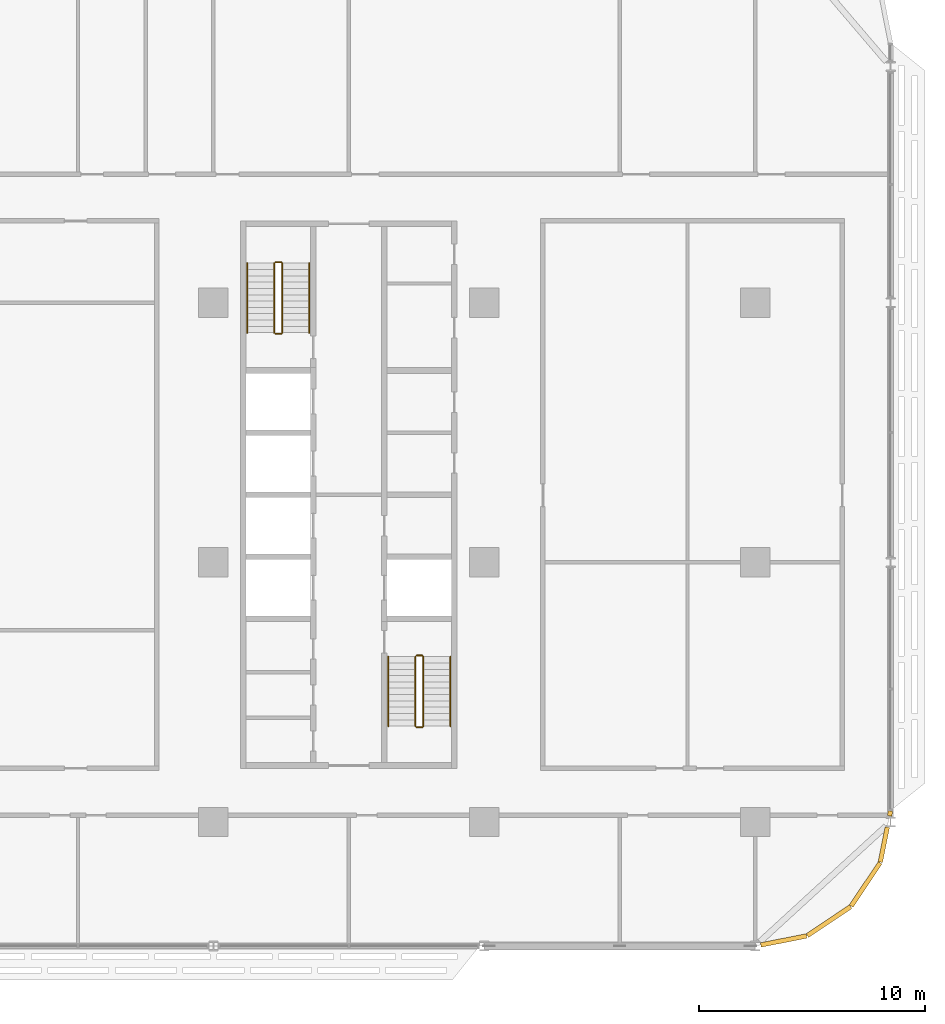
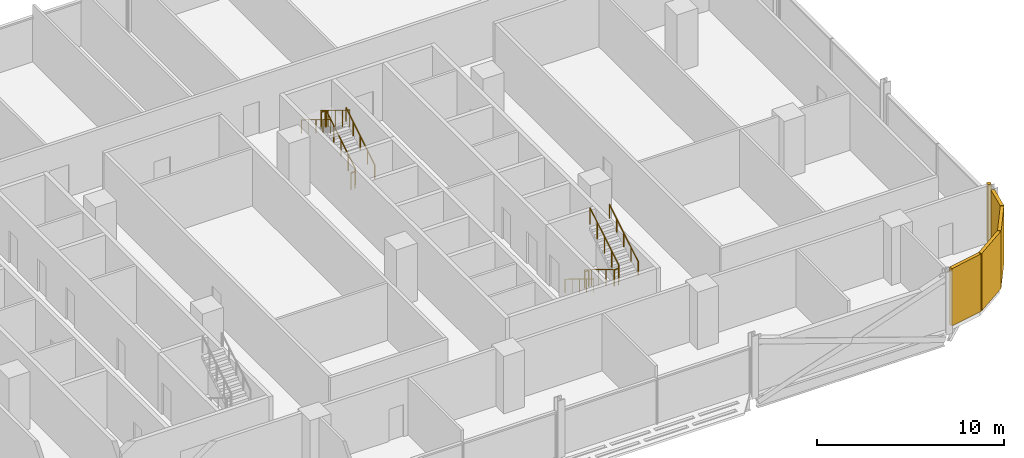
# One storey, part 28 of 29: 12 railings, 5 coverings.
"""IFC4 building model written with IfcOpenShell, lengths in metres."""

import ifcopenshell
import ifcopenshell.guid

model = None  # the IFC model being written
_history = None  # IfcOwnerHistory: only IFC2X3 demands one
_inside = {}  # id of a spatial element -> (the spatial element, [elements in it])
_under = {}  # id of a project, library or spatial element -> (it, [spatial elements below it])
_declared = {}  # id of a project -> (the project, [libraries it declares])
_typed = {}  # id of a type object -> (the type object, [elements of that type])
_made_of = {}  # id of a material, layer set ... -> (it, [elements and type objects made of it])


def new_model(schema):
    """Start an empty IFC model of exactly this schema.

    Asked for "IFC4X3", IfcOpenShell would pick the latest addendum, in which some entities
    have other attributes; the version numbers below select the first issue.
    IFC2X3 requires an IfcOwnerHistory on every rooted entity: one is made here for all.
    """
    global model, _history
    if schema == "IFC4X3":
        model = ifcopenshell.file(schema_version=(4, 3, 0, 0))
    else:
        model = ifcopenshell.file(schema=schema)
    _inside.clear()
    _under.clear()
    _declared.clear()
    _typed.clear()
    _made_of.clear()
    _history = None
    if model.schema == "IFC2X3":
        org = make("IfcOrganization", Name="unknown")
        user = make(
            "IfcPersonAndOrganization",
            ThePerson=make("IfcPerson", FamilyName="unknown"),
            TheOrganization=org,
        )
        app = make(
            "IfcApplication",
            ApplicationDeveloper=org,
            Version="unknown",
            ApplicationFullName="unknown",
            ApplicationIdentifier="unknown",
        )
        _history = make(
            "IfcOwnerHistory",
            OwningUser=user,
            OwningApplication=app,
            ChangeAction="ADDED",
            CreationDate=0,
        )
    return model


def make(cls, **values):
    """One entity of the class cls with the attributes given. An attribute that is None is left unset."""
    return model.create_entity(
        cls, **{name: value for name, value in values.items() if value is not None}
    )


def rooted(cls, **values):
    """An entity with a GlobalId (a new one), such as an element, a storey or a relation."""
    return make(cls, GlobalId=ifcopenshell.guid.new(), OwnerHistory=_history, **values)


def si_unit(unit_type, name, prefix=None):
    """IfcSIUnit, for example si_unit("LENGTHUNIT", "METRE", prefix="MILLI")."""
    return make("IfcSIUnit", UnitType=unit_type, Prefix=prefix, Name=name)


def assignment(units):
    """IfcUnitAssignment: the units of a project."""
    return None if units is None else make("IfcUnitAssignment", Units=units)


def point(xyz):
    """IfcCartesianPoint."""
    return None if xyz is None else make("IfcCartesianPoint", Coordinates=xyz)


def direction(xyz):
    """IfcDirection."""
    return None if xyz is None else make("IfcDirection", DirectionRatios=xyz)


def frame(location, z_axis=None, x_axis=None):
    """IfcAxis2Placement3D, a coordinate frame: its origin and axes. An axis left out is left unset."""
    return make(
        "IfcAxis2Placement3D",
        Location=point(location),
        Axis=direction(z_axis),
        RefDirection=direction(x_axis),
    )


def frame_2d(location, x_axis=None):
    """IfcAxis2Placement2D, a coordinate frame in the plane: its origin and x axis."""
    return make(
        "IfcAxis2Placement2D", Location=point(location), RefDirection=direction(x_axis)
    )


def origin():
    """The frame at (0, 0, 0) with its axes left unset."""
    return frame((0.0, 0.0, 0.0))


def origin_2d():
    """The frame at (0, 0) in the plane with its x axis left unset."""
    return frame_2d((0.0, 0.0))


def place(relative_to, where):
    """IfcLocalPlacement: puts the frame where relative to a parent placement (None: the world)."""
    return make(
        "IfcLocalPlacement", PlacementRelTo=relative_to, RelativePlacement=where
    )


def context(
    kind, dimensions, precision=None, world=None, true_north=None, identifier=None
):
    """IfcGeometricRepresentationContext, for example the 3D "Model" context."""
    return make(
        "IfcGeometricRepresentationContext",
        ContextIdentifier=identifier,
        ContextType=kind,
        CoordinateSpaceDimension=dimensions,
        Precision=precision,
        WorldCoordinateSystem=world,
        TrueNorth=true_north,
    )


def subcontext(parent, identifier, kind, view, scale=None):
    """IfcGeometricRepresentationSubContext, for example "Body" below "Model"."""
    return make(
        "IfcGeometricRepresentationSubContext",
        ContextIdentifier=identifier,
        ContextType=kind,
        ParentContext=parent,
        TargetScale=scale,
        TargetView=view,
    )


def project(units=None, contexts=None):
    """IfcProject with its units and contexts."""
    return rooted(
        "IfcProject",
        Name="project",
        RepresentationContexts=contexts,
        UnitsInContext=assignment(units),
    )


def spatial(cls, under=None, at=None, **own):
    """A site, building, storey or space (cls), placed at a placement, below another one or the project."""
    s = rooted(cls, ObjectPlacement=at, **own)
    if under is not None:
        _under.setdefault(under.id(), (under, []))[1].append(s)
    return s


def profile(cls, at=None, kind="AREA", **sizes):
    """A parametric profile (cls). Its sizes go by their IFC names, for example OverallWidth=200.0."""
    return make(cls, ProfileType=kind, Position=at, **sizes)


def rectangle(**sizes):
    """IfcRectangleProfileDef."""
    return profile("IfcRectangleProfileDef", **sizes)


def circle(**sizes):
    """IfcCircleProfileDef."""
    return profile("IfcCircleProfileDef", **sizes)


def extrude(swept, where, along, depth):
    """IfcExtrudedAreaSolid: the profile swept, set in the frame where, extruded along a direction by depth."""
    return make(
        "IfcExtrudedAreaSolid",
        SweptArea=swept,
        Position=where,
        ExtrudedDirection=direction(along),
        Depth=depth,
    )


def shape(context_of_items, identifier, shape_type, items):
    """IfcShapeRepresentation: the items that make up one representation, for example the "Body"."""
    return make(
        "IfcShapeRepresentation",
        ContextOfItems=context_of_items,
        RepresentationIdentifier=identifier,
        RepresentationType=shape_type,
        Items=items,
    )


def material(Name=None, Category=None):
    """IfcMaterial."""
    return make("IfcMaterial", Name=Name, Category=Category)


def layer(
    of_material, thickness, ventilated=None, Name=None, Category=None, Priority=None
):
    """IfcMaterialLayer: one layer of a wall or slab, of a material (None: an air gap)."""
    return make(
        "IfcMaterialLayer",
        Material=of_material,
        LayerThickness=thickness,
        IsVentilated=ventilated,
        Name=Name,
        Category=Category,
        Priority=Priority,
    )


def layer_set(layers, Name=None):
    """IfcMaterialLayerSet."""
    return make("IfcMaterialLayerSet", MaterialLayers=layers, LayerSetName=Name)


def made_of(thing, what):
    """Note that an element or type object is made of a material, layer set ...; save() writes the relation."""
    if what is not None:
        _made_of.setdefault(what.id(), (what, []))[1].append(thing)
    return thing


def type_object(cls, material=None, **own):
    """A type object (cls), such as IfcWallType, which elements share."""
    return made_of(rooted(cls, **own), material)


def element(
    cls,
    number,
    at=None,
    inside=None,
    cuts=None,
    type_object=None,
    material=None,
    context=None,
    identifier="Body",
    shape_type=None,
    held_by="IfcProductDefinitionShape",
    body=None,
    shapes=None,
    **own,
):
    """One element of the class cls, such as IfcWall. Its Tag is "e" and its number.

    at: its placement. inside: the storey or other place that contains it. cuts: it is an
    opening in that element (IfcRelVoidsElement). A single representation is given by context,
    identifier, shape_type and body (its items); several are given by shapes. held_by: the class
    of the entity that holds the representations. save() writes the other relations.
    """
    e = rooted(cls, Tag="e%d" % number, ObjectPlacement=at, **own)
    if body is not None:
        shapes = [shape(context, identifier, shape_type, body)]
    if shapes is not None:
        e.Representation = make(held_by, Representations=shapes)
    if inside is not None:
        _inside.setdefault(inside.id(), (inside, []))[1].append(e)
    if cuts is not None:
        rooted(
            "IfcRelVoidsElement", RelatingBuildingElement=cuts, RelatedOpeningElement=e
        )
    if type_object is not None:
        _typed.setdefault(type_object.id(), (type_object, []))[1].append(e)
    return made_of(e, material)


def aggregate(whole, parts):
    """IfcRelAggregates: a whole, such as a stair, and the parts it consists of."""
    return rooted("IfcRelAggregates", RelatingObject=whole, RelatedObjects=parts)


def save(model, path):
    """Write the relations noted so far, then the file.

    IfcRelAggregates (storeys below a building ...), IfcRelContainedInSpatialStructure (elements
    in a storey), IfcRelDefinesByType, IfcRelAssociatesMaterial and IfcRelDeclares: one each for
    every whole, place, type object, material and project.
    """
    for whole, parts in _under.values():
        aggregate(whole, parts)
    for where, things in _inside.values():
        rooted(
            "IfcRelContainedInSpatialStructure",
            RelatedElements=things,
            RelatingStructure=where,
        )
    for kind, things in _typed.values():
        rooted("IfcRelDefinesByType", RelatedObjects=things, RelatingType=kind)
    for what, things in _made_of.values():
        rooted("IfcRelAssociatesMaterial", RelatedObjects=things, RelatingMaterial=what)
    for by, libraries in _declared.values():
        rooted("IfcRelDeclares", RelatingContext=by, RelatedDefinitions=libraries)
    model.write(path)


model = new_model("IFC4")

# Units and contexts
model_context = context("Model", 3, precision=1e-05, world=origin(), true_north=direction((0.0, 1.0)))
body_context = subcontext(model_context, "Body", "Model", "MODEL_VIEW")
ifc_project = project(units=[si_unit("LENGTHUNIT", "METRE"), si_unit("AREAUNIT", "SQUARE_METRE"), si_unit("VOLUMEUNIT", "CUBIC_METRE"), si_unit("PLANEANGLEUNIT", "RADIAN"), si_unit("MASSUNIT", "GRAM", prefix="KILO")], contexts=[model_context])

# Site, building, storey
site_placement = place(None, origin())
site = spatial("IfcSite", under=ifc_project, at=site_placement, CompositionType="ELEMENT")
building_placement = place(site_placement, origin())
building = spatial("IfcBuilding", under=site, at=building_placement, Name="Mahtab Terrace Research Tower", CompositionType="ELEMENT")
storey_placement = place(building_placement, frame((0.0, 0.0, 126.10009765625)))
storey = spatial("IfcBuildingStorey", under=building, at=storey_placement, Name="L29", CompositionType="ELEMENT", Elevation=126.10009765625)

# Coverings
ifc_material_1 = material(Name="Black aluminium cladding panel", Category="aluminium")
ifc_layer = layer(ifc_material_1, 0.199951171875)
ifc_layer_set = layer_set([ifc_layer], Name="Black metal corner cladding 200")
covering_type = type_object("IfcCoveringType", Name="Black metal corner cladding 200", PredefinedType="CLADDING", material=ifc_layer_set)
covering_1_placement = place(storey_placement, frame((43.263916015625, -16.74853515625, 0.0), z_axis=(0.0, 0.0, 1.0), x_axis=(0.980760981187, 0.195212442692, 0.0)))
element("IfcCovering", 1, at=covering_1_placement, inside=storey, type_object=covering_type, Name="Corner cladding L29 31", PredefinedType="CLADDING", context=body_context, shape_type="SweptSolid", body=[
    extrude(rectangle(XDim=2.064697265625, YDim=0.199951171875, at=origin_2d()), origin(), (0.0, 0.0, 1.0), 3.760009765625),
])
for number, where, z_axis, x_axis, name in (
    (2, (45.26953125, -15.89306640625, 0.0), (0.0, 0.0, 1.0), (0.831655794326, 0.555291490808, 0.0), "Corner cladding L29 32"),
    (3, (46.89306640625, -14.26953125, 0.0), (0.0, 0.0, 1.0), (0.555291490808, 0.831655794326, 0.0), "Corner cladding L29 33"),
):
    element("IfcCovering", number, at=place(storey_placement, frame(where, z_axis=z_axis, x_axis=x_axis)), inside=storey, type_object=covering_type, Name=name, PredefinedType="CLADDING", context=body_context, shape_type="SweptSolid", body=[
        extrude(rectangle(XDim=2.30126953125, YDim=0.199951171875, at=origin_2d()), origin(), (0.0, 0.0, 1.0), 3.760009765625),
    ])
covering_2_placement = place(storey_placement, frame((47.700439453125, -12.50439453125, 0.0), z_axis=(0.0, 0.0, 1.0), x_axis=(0.195212442692, 0.980760981187, 0.0)))
element("IfcCovering", 4, at=covering_2_placement, inside=storey, type_object=covering_type, Name="Corner cladding L29 34", PredefinedType="CLADDING", context=body_context, shape_type="SweptSolid", body=[
    extrude(rectangle(XDim=1.574462890625, YDim=0.199951171875, at=origin_2d()), origin(), (0.0, 0.0, 1.0), 3.760009765625),
])
covering_3_placement = place(storey_placement, frame((47.97607421875, -11.11962890625, 0.0), z_axis=(0.0, 0.0, 1.0), x_axis=(0.195212442692, 0.980760981187, 0.0)))
element("IfcCovering", 5, at=covering_3_placement, inside=storey, type_object=covering_type, Name="Corner cladding L29 35", PredefinedType="CLADDING", context=body_context, shape_type="SweptSolid", body=[
    extrude(rectangle(XDim=0.22412109375, YDim=0.199951171875, at=origin_2d()), origin(), (0.0, 0.0, 1.0), 3.760009765625),
])

# Railings
ifc_material_2 = material(Name="Stainless steel AISI 304", Category="steel")
railing_type_1 = type_object("IfcRailingType", Name="Stair guard 1100", PredefinedType="GUARDRAIL", material=ifc_material_2)
railing_1_placement = place(storey_placement, frame((21.050048828125, 10.175048828125, 0.170654296875)))
element("IfcRailing", 6, at=railing_1_placement, inside=storey, type_object=railing_type_1, Name="L29 ST3 stair guard 1", PredefinedType="GUARDRAIL", context=body_context, shape_type="SweptSolid", body=[
    extrude(circle(Radius=0.02392578125, at=origin_2d()), frame((0.0, 0.0, 1.076171875), z_axis=(0.0, 0.853647949592, 0.520850437417), x_axis=(-1.0, 0.0, 0.0)), (0.0, 0.0, 1.0), 3.60791015625),
    extrude(circle(Radius=0.02099609375, at=origin_2d()), origin(), (0.0, 0.0, 1.0), 1.052001953125),
    extrude(circle(Radius=0.02099609375, at=origin_2d()), frame((0.0, 0.77001953125, 0.4697265625)), (0.0, 0.0, 1.0), 1.052001953125),
    extrude(circle(Radius=0.02099609375, at=origin_2d()), frame((0.0, 1.5400390625, 0.939453125)), (0.0, 0.0, 1.0), 1.052001953125),
    extrude(circle(Radius=0.02099609375, at=origin_2d()), frame((0.0, 2.309814453125, 1.409423828125)), (0.0, 0.0, 1.0), 1.052001953125),
    extrude(circle(Radius=0.02099609375, at=origin_2d()), frame((0.0, 3.079833984375, 1.879150390625)), (0.0, 0.0, 1.0), 1.052001953125),
])
railing_2_placement = place(storey_placement, frame((21.0, 13.304931640625, 2.0498046875)))
element("IfcRailing", 7, at=railing_2_placement, inside=storey, type_object=railing_type_1, Name="L29 ST3 stair guard 2", PredefinedType="GUARDRAIL", context=body_context, shape_type="SweptSolid", body=[
    extrude(circle(Radius=0.02392578125, at=origin_2d()), frame((0.0, 0.0, 1.076171875), z_axis=(-1.0, 0.0, 0.0), x_axis=(0.0, -1.0, 0.0)), (0.0, 0.0, 1.0), 0.25),
    extrude(circle(Radius=0.02099609375, at=origin_2d()), origin(), (0.0, 0.0, 1.0), 1.052001953125),
    extrude(circle(Radius=0.02099609375, at=origin_2d()), frame((-0.25, 0.0, 0.0)), (0.0, 0.0, 1.0), 1.052001953125),
])
railing_3_placement = place(storey_placement, frame((20.699951171875, 13.2548828125, 2.220703125)))
element("IfcRailing", 8, at=railing_3_placement, inside=storey, type_object=railing_type_1, Name="L29 ST3 stair guard 3", PredefinedType="GUARDRAIL", context=body_context, shape_type="SweptSolid", body=[
    extrude(circle(Radius=0.02392578125, at=origin_2d()), frame((0.0, 0.0, 1.076171875), z_axis=(0.0, -0.853647949592, 0.520850437417), x_axis=(1.0, 0.0, 0.0)), (0.0, 0.0, 1.0), 3.60791015625),
    extrude(circle(Radius=0.02099609375, at=origin_2d()), origin(), (0.0, 0.0, 1.0), 1.052001953125),
    extrude(circle(Radius=0.02099609375, at=origin_2d()), frame((0.0, -0.77001953125, 0.4697265625)), (0.0, 0.0, 1.0), 1.052001953125),
    extrude(circle(Radius=0.02099609375, at=origin_2d()), frame((0.0, -1.5400390625, 0.939453125)), (0.0, 0.0, 1.0), 1.052001953125),
    extrude(circle(Radius=0.02099609375, at=origin_2d()), frame((0.0, -2.309814453125, 1.409423828125)), (0.0, 0.0, 1.0), 1.052001953125),
    extrude(circle(Radius=0.02099609375, at=origin_2d()), frame((0.0, -3.079833984375, 1.879150390625)), (0.0, 0.0, 1.0), 1.052001953125),
])
railing_4_placement = place(storey_placement, frame((21.0, 10.125, 0.0)))
element("IfcRailing", 9, at=railing_4_placement, inside=storey, type_object=railing_type_1, Name="L29 ST3 stair guard 4", PredefinedType="GUARDRAIL", context=body_context, shape_type="SweptSolid", body=[
    extrude(circle(Radius=0.02392578125, at=origin_2d()), frame((0.0, 0.0, 1.076171875), z_axis=(-1.0, 0.0, 0.0), x_axis=(0.0, -1.0, 0.0)), (0.0, 0.0, 1.0), 0.25),
    extrude(circle(Radius=0.02099609375, at=origin_2d()), origin(), (0.0, 0.0, 1.0), 1.052001953125),
    extrude(circle(Radius=0.02099609375, at=origin_2d()), frame((-0.25, 0.0, 0.0)), (0.0, 0.0, 1.0), 1.052001953125),
])
railing_5_placement = place(storey_placement, frame((26.949951171875, -4.175048828125, 0.170654296875)))
element("IfcRailing", 10, at=railing_5_placement, inside=storey, type_object=railing_type_1, Name="L29 ST4 stair guard 1", PredefinedType="GUARDRAIL", context=body_context, shape_type="SweptSolid", body=[
    extrude(circle(Radius=0.02392578125, at=origin_2d()), frame((0.0, 0.0, 1.076171875), z_axis=(0.0, -0.853647949592, 0.520850437417), x_axis=(1.0, 0.0, 0.0)), (0.0, 0.0, 1.0), 3.60791015625),
    extrude(circle(Radius=0.02099609375, at=origin_2d()), origin(), (0.0, 0.0, 1.0), 1.052001953125),
    extrude(circle(Radius=0.02099609375, at=origin_2d()), frame((0.0, -0.77001953125, 0.4697265625)), (0.0, 0.0, 1.0), 1.052001953125),
    extrude(circle(Radius=0.02099609375, at=origin_2d()), frame((0.0, -1.5400390625, 0.939453125)), (0.0, 0.0, 1.0), 1.052001953125),
    extrude(circle(Radius=0.02099609375, at=origin_2d()), frame((0.0, -2.309814453125, 1.409423828125)), (0.0, 0.0, 1.0), 1.052001953125),
    extrude(circle(Radius=0.02099609375, at=origin_2d()), frame((0.0, -3.079833984375, 1.879150390625)), (0.0, 0.0, 1.0), 1.052001953125),
])
railing_6_placement = place(storey_placement, frame((27.0, -7.304931640625, 2.0498046875)))
element("IfcRailing", 11, at=railing_6_placement, inside=storey, type_object=railing_type_1, Name="L29 ST4 stair guard 2", PredefinedType="GUARDRAIL", context=body_context, shape_type="SweptSolid", body=[
    extrude(circle(Radius=0.02392578125, at=origin_2d()), frame((0.0, 0.0, 1.076171875), z_axis=(1.0, 0.0, 0.0), x_axis=(0.0, 1.0, 0.0)), (0.0, 0.0, 1.0), 0.25),
    extrude(circle(Radius=0.02099609375, at=origin_2d()), origin(), (0.0, 0.0, 1.0), 1.052001953125),
    extrude(circle(Radius=0.02099609375, at=origin_2d()), frame((0.25, 0.0, 0.0)), (0.0, 0.0, 1.0), 1.052001953125),
])
railing_7_placement = place(storey_placement, frame((27.300048828125, -7.2548828125, 2.220703125)))
element("IfcRailing", 12, at=railing_7_placement, inside=storey, type_object=railing_type_1, Name="L29 ST4 stair guard 3", PredefinedType="GUARDRAIL", context=body_context, shape_type="SweptSolid", body=[
    extrude(circle(Radius=0.02392578125, at=origin_2d()), frame((0.0, 0.0, 1.076171875), z_axis=(0.0, 0.853647949592, 0.520850437417), x_axis=(-1.0, 0.0, 0.0)), (0.0, 0.0, 1.0), 3.60791015625),
    extrude(circle(Radius=0.02099609375, at=origin_2d()), origin(), (0.0, 0.0, 1.0), 1.052001953125),
    extrude(circle(Radius=0.02099609375, at=origin_2d()), frame((0.0, 0.77001953125, 0.4697265625)), (0.0, 0.0, 1.0), 1.052001953125),
    extrude(circle(Radius=0.02099609375, at=origin_2d()), frame((0.0, 1.5400390625, 0.939453125)), (0.0, 0.0, 1.0), 1.052001953125),
    extrude(circle(Radius=0.02099609375, at=origin_2d()), frame((0.0, 2.309814453125, 1.409423828125)), (0.0, 0.0, 1.0), 1.052001953125),
    extrude(circle(Radius=0.02099609375, at=origin_2d()), frame((0.0, 3.079833984375, 1.879150390625)), (0.0, 0.0, 1.0), 1.052001953125),
])
railing_8_placement = place(storey_placement, frame((27.0, -4.125, 0.0)))
element("IfcRailing", 13, at=railing_8_placement, inside=storey, type_object=railing_type_1, Name="L29 ST4 stair guard 4", PredefinedType="GUARDRAIL", context=body_context, shape_type="SweptSolid", body=[
    extrude(circle(Radius=0.02392578125, at=origin_2d()), frame((0.0, 0.0, 1.076171875), z_axis=(1.0, 0.0, 0.0), x_axis=(0.0, 1.0, 0.0)), (0.0, 0.0, 1.0), 0.25),
    extrude(circle(Radius=0.02099609375, at=origin_2d()), origin(), (0.0, 0.0, 1.0), 1.052001953125),
    extrude(circle(Radius=0.02099609375, at=origin_2d()), frame((0.25, 0.0, 0.0)), (0.0, 0.0, 1.0), 1.052001953125),
])
railing_type_2 = type_object("IfcRailingType", Name="Stair handrail 900", PredefinedType="HANDRAIL", material=ifc_material_2)
railing_9_placement = place(storey_placement, frame((22.25, 10.175048828125, 0.170654296875)))
element("IfcRailing", 14, at=railing_9_placement, inside=storey, type_object=railing_type_2, Name="L29 ST3 stair handrail 1", PredefinedType="HANDRAIL", context=body_context, shape_type="SweptSolid", body=[
    extrude(circle(Radius=0.02392578125, at=origin_2d()), frame((0.0, 0.0, 0.8759765625), z_axis=(0.0, 0.853647949592, 0.520850437417), x_axis=(-1.0, 0.0, 0.0)), (0.0, 0.0, 1.0), 3.60791015625),
    extrude(circle(Radius=0.02099609375, at=origin_2d()), origin(), (0.0, 0.0, 1.0), 0.851806640625),
    extrude(circle(Radius=0.02099609375, at=origin_2d()), frame((0.0, 0.77001953125, 0.4697265625)), (0.0, 0.0, 1.0), 0.851806640625),
    extrude(circle(Radius=0.02099609375, at=origin_2d()), frame((0.0, 1.5400390625, 0.939453125)), (0.0, 0.0, 1.0), 0.851806640625),
    extrude(circle(Radius=0.02099609375, at=origin_2d()), frame((0.0, 2.309814453125, 1.409423828125)), (0.0, 0.0, 1.0), 0.851806640625),
    extrude(circle(Radius=0.02099609375, at=origin_2d()), frame((0.0, 3.079833984375, 1.879150390625)), (0.0, 0.0, 1.0), 0.851806640625),
])
for number, where, name in (
    (15, (19.5, 13.2548828125, 2.220703125), "L29 ST3 stair handrail 2"),
    (16, (25.75, -4.175048828125, 0.170654296875), "L29 ST4 stair handrail 1"),
):
    element("IfcRailing", number, at=place(storey_placement, frame(where)), inside=storey, type_object=railing_type_2, Name=name, PredefinedType="HANDRAIL", context=body_context, shape_type="SweptSolid", body=[
        extrude(circle(Radius=0.02392578125, at=origin_2d()), frame((0.0, 0.0, 0.8759765625), z_axis=(0.0, -0.853647949592, 0.520850437417), x_axis=(1.0, 0.0, 0.0)), (0.0, 0.0, 1.0), 3.60791015625),
        extrude(circle(Radius=0.02099609375, at=origin_2d()), origin(), (0.0, 0.0, 1.0), 0.851806640625),
        extrude(circle(Radius=0.02099609375, at=origin_2d()), frame((0.0, -0.77001953125, 0.4697265625)), (0.0, 0.0, 1.0), 0.851806640625),
        extrude(circle(Radius=0.02099609375, at=origin_2d()), frame((0.0, -1.5400390625, 0.939453125)), (0.0, 0.0, 1.0), 0.851806640625),
        extrude(circle(Radius=0.02099609375, at=origin_2d()), frame((0.0, -2.309814453125, 1.409423828125)), (0.0, 0.0, 1.0), 0.851806640625),
        extrude(circle(Radius=0.02099609375, at=origin_2d()), frame((0.0, -3.079833984375, 1.879150390625)), (0.0, 0.0, 1.0), 0.851806640625),
    ])
railing_10_placement = place(storey_placement, frame((28.5, -7.2548828125, 2.220703125)))
element("IfcRailing", 17, at=railing_10_placement, inside=storey, type_object=railing_type_2, Name="L29 ST4 stair handrail 2", PredefinedType="HANDRAIL", context=body_context, shape_type="SweptSolid", body=[
    extrude(circle(Radius=0.02392578125, at=origin_2d()), frame((0.0, 0.0, 0.8759765625), z_axis=(0.0, 0.853647949592, 0.520850437417), x_axis=(-1.0, 0.0, 0.0)), (0.0, 0.0, 1.0), 3.60791015625),
    extrude(circle(Radius=0.02099609375, at=origin_2d()), origin(), (0.0, 0.0, 1.0), 0.851806640625),
    extrude(circle(Radius=0.02099609375, at=origin_2d()), frame((0.0, 0.77001953125, 0.4697265625)), (0.0, 0.0, 1.0), 0.851806640625),
    extrude(circle(Radius=0.02099609375, at=origin_2d()), frame((0.0, 1.5400390625, 0.939453125)), (0.0, 0.0, 1.0), 0.851806640625),
    extrude(circle(Radius=0.02099609375, at=origin_2d()), frame((0.0, 2.309814453125, 1.409423828125)), (0.0, 0.0, 1.0), 0.851806640625),
    extrude(circle(Radius=0.02099609375, at=origin_2d()), frame((0.0, 3.079833984375, 1.879150390625)), (0.0, 0.0, 1.0), 0.851806640625),
])

save(model, "model.ifc")
